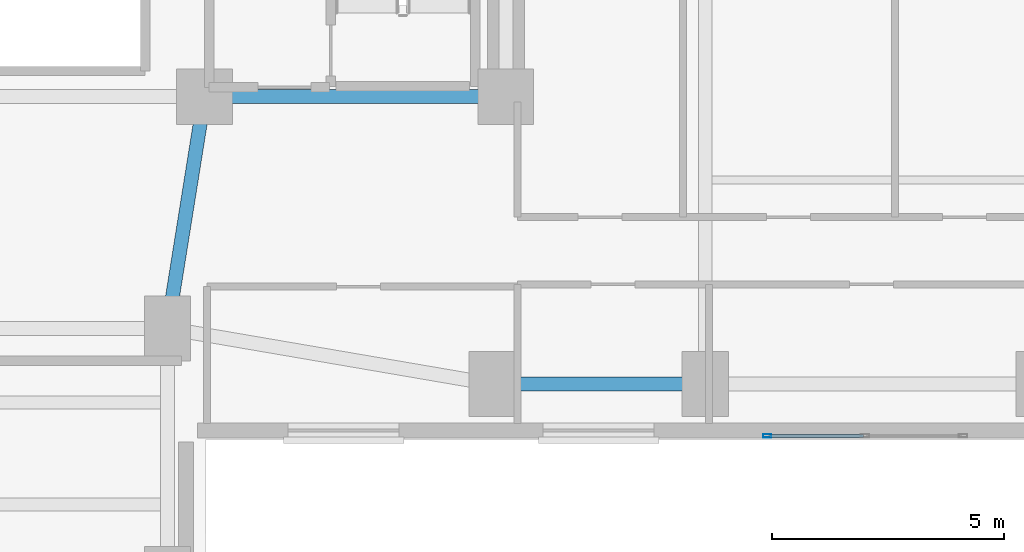
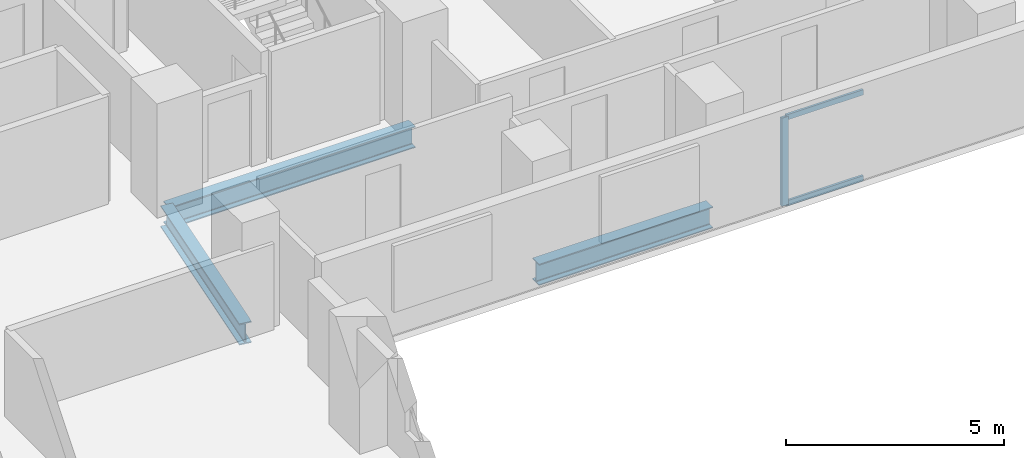
# One storey, part 4 of 16: 3 beams, 3 members, 1 element without a shape of its own.
"""IFC4 building model written with IfcOpenShell, lengths in metres."""

from ifc_helpers import new_model, si_unit, direction, frame, origin, origin_2d, place, context, subcontext, project, spatial, hollow_rectangle, i_section, extrude, material, material_profile, profile_set, type_object, element, aggregate, save


model = new_model("IFC4")

# Units and contexts
model_context = context("Model", 3, precision=1e-05, world=origin(), true_north=direction((0.0, 1.0)))
body_context = subcontext(model_context, "Body", "Model", "MODEL_VIEW")
ifc_project = project(units=[si_unit("LENGTHUNIT", "METRE"), si_unit("AREAUNIT", "SQUARE_METRE"), si_unit("VOLUMEUNIT", "CUBIC_METRE"), si_unit("PLANEANGLEUNIT", "RADIAN"), si_unit("MASSUNIT", "GRAM", prefix="KILO")], contexts=[model_context])

# Site, building, storey
site_placement = place(None, origin())
site = spatial("IfcSite", under=ifc_project, at=site_placement, CompositionType="ELEMENT")
building_placement = place(site_placement, origin())
building = spatial("IfcBuilding", under=site, at=building_placement, Name="Kuzgunbayir Cultural Tower", CompositionType="ELEMENT")
storey_placement = place(building_placement, frame((0.0, 0.0, 66.0)))
storey = spatial("IfcBuildingStorey", under=building, at=storey_placement, Name="L18", CompositionType="ELEMENT", Elevation=66.0)

# Beams
ifc_material_1 = material(Name="Steel S355J2", Category="steel")
ifc_material_profile_1 = material_profile(ifc_material_1, i_section(OverallWidth=0.300048828125, OverallDepth=0.60009765625, WebThickness=0.015380859375, FlangeThickness=0.030029296875, FilletRadius=0.027099609375, at=origin_2d()), Name="HEB 600")
ifc_profile_set_1 = profile_set([ifc_material_profile_1], Name="Steel S355J2")
beam_type_1 = type_object("IfcBeamType", Name="BM-EXT-HEB600", PredefinedType="BEAM", material=ifc_profile_set_1)
beam_1_placement = place(storey_placement, frame((26.60009765625, 27.60009765625, -0.47998046875), z_axis=(1.0, 0.0, 0.0), x_axis=(0.0, 1.0, 0.0)))
element("IfcBeam", 1, at=beam_1_placement, inside=storey, type_object=beam_type_1, Name="L18 Wing B South Girder 1", PredefinedType="BEAM", context=body_context, shape_type="SweptSolid", body=[
    extrude(i_section(OverallWidth=0.300048828125, OverallDepth=0.60009765625, WebThickness=0.015380859375, FlangeThickness=0.030029296875, FilletRadius=0.027099609375, at=origin_2d()), origin(), (0.0, 0.0, 1.0), 4.599853515625),
])
ifc_material_profile_2 = material_profile(ifc_material_1, i_section(OverallWidth=0.300048828125, OverallDepth=0.60009765625, WebThickness=0.015380859375, FlangeThickness=0.030029296875, FilletRadius=0.027099609375, at=origin_2d()), Name="HEB 600")
ifc_profile_set_2 = profile_set([ifc_material_profile_2], Name="Steel S355J2")
beam_type_2 = type_object("IfcBeamType", Name="BM-GIR-HEB600", PredefinedType="BEAM", material=ifc_profile_set_2)
beam_2_placement = place(storey_placement, frame((20.39990234375, 33.800048828125, -0.47998046875), z_axis=(1.0, 0.0, 0.0), x_axis=(0.0, 1.0, 0.0)))
element("IfcBeam", 2, at=beam_2_placement, inside=storey, type_object=beam_type_2, Name="L18 Core South Girder 3", PredefinedType="BEAM", context=body_context, shape_type="SweptSolid", body=[
    extrude(i_section(OverallWidth=0.300048828125, OverallDepth=0.60009765625, WebThickness=0.015380859375, FlangeThickness=0.030029296875, FilletRadius=0.027099609375, at=origin_2d()), origin(), (0.0, 0.0, 1.0), 6.5),
])
beam_3_placement = place(storey_placement, frame((19.60009765625, 28.800048828125, -0.47998046875), z_axis=(0.157952891656, 0.987446648694, 0.0), x_axis=(-0.987446648694, 0.157952891656, 0.0)))
element("IfcBeam", 3, at=beam_3_placement, inside=storey, type_object=beam_type_2, Name="L18 Wing A East Core Floor Girder", PredefinedType="BEAM", context=body_context, shape_type="SweptSolid", body=[
    extrude(i_section(OverallWidth=0.300048828125, OverallDepth=0.60009765625, WebThickness=0.015380859375, FlangeThickness=0.030029296875, FilletRadius=0.027099609375, at=origin_2d()), origin(), (0.0, 0.0, 1.0), 5.0634765625),
])

# Curtain wall, members
ifc_material_2 = material(Name="Anodised Aluminium Framing", Category="aluminium")
curtain_wall_type = type_object("IfcCurtainWallType", Name="CW03-T1-OFFICE", PredefinedType="NOTDEFINED", material=ifc_material_2)
curtain_wall_placement = place(storey_placement, origin())
curtain_wall = element("IfcCurtainWall", 4, at=curtain_wall_placement, inside=storey, type_object=curtain_wall_type, Name="L18 Wing B South Feature Curtain Wall", PredefinedType="NOTDEFINED")
ifc_material_profile_3 = material_profile(ifc_material_2, hollow_rectangle(XDim=0.074951171875, YDim=0.179931640625, WallThickness=0.0048828125, at=origin_2d()), Name="RHS 180x75x5")
ifc_profile_set_3 = profile_set([ifc_material_profile_3], Name="Anodised Aluminium Framing")
member_type_1 = type_object("IfcMemberType", Name="MEM-CW-MULLION-180", PredefinedType="MULLION", material=ifc_profile_set_3)
member_1_placement = place(storey_placement, frame((32.53759765625, 26.47998046875, 0.0), z_axis=(0.0, 0.0, 1.0), x_axis=(0.0, 1.0, 0.0)))
member_1 = element("IfcMember", 5, at=member_1_placement, type_object=member_type_1, Name="CW03 mullion 1", PredefinedType="MULLION", context=body_context, shape_type="SweptSolid", body=[
    extrude(hollow_rectangle(XDim=0.074951171875, YDim=0.179931640625, WallThickness=0.0048828125, at=origin_2d()), origin(), (0.0, 0.0, 1.0), 2.469970703125),
])
ifc_material_profile_4 = material_profile(ifc_material_2, hollow_rectangle(XDim=0.06005859375, YDim=0.14990234375, WallThickness=0.00390625, at=origin_2d()), Name="RHS 150x60x4")
ifc_profile_set_4 = profile_set([ifc_material_profile_4], Name="Anodised Aluminium Framing")
member_type_2 = type_object("IfcMemberType", Name="MEM-CW-TRANSOM-150", PredefinedType="USERDEFINED", material=ifc_profile_set_4)
member_2_placement = place(storey_placement, frame((32.574951171875, 26.47998046875, 0.030029296875), z_axis=(1.0, 0.0, 0.0), x_axis=(0.0, 1.0, 0.0)))
member_2 = element("IfcMember", 6, at=member_2_placement, type_object=member_type_2, Name="CW03 transom 1.1", ObjectType="TRANSOM", PredefinedType="USERDEFINED", context=body_context, shape_type="SweptSolid", body=[
    extrude(hollow_rectangle(XDim=0.06005859375, YDim=0.14990234375, WallThickness=0.00390625, at=origin_2d()), origin(), (0.0, 0.0, 1.0), 2.03759765625),
])
member_3_placement = place(storey_placement, frame((32.574951171875, 26.47998046875, 2.43994140625), z_axis=(1.0, 0.0, 0.0), x_axis=(0.0, 1.0, 0.0)))
member_3 = element("IfcMember", 7, at=member_3_placement, type_object=member_type_2, Name="CW03 transom 1.2", ObjectType="TRANSOM", PredefinedType="USERDEFINED", context=body_context, shape_type="SweptSolid", body=[
    extrude(hollow_rectangle(XDim=0.06005859375, YDim=0.14990234375, WallThickness=0.00390625, at=origin_2d()), origin(), (0.0, 0.0, 1.0), 2.03759765625),
])
aggregate(curtain_wall, [member_1, member_2, member_3])

save(model, "model.ifc")
